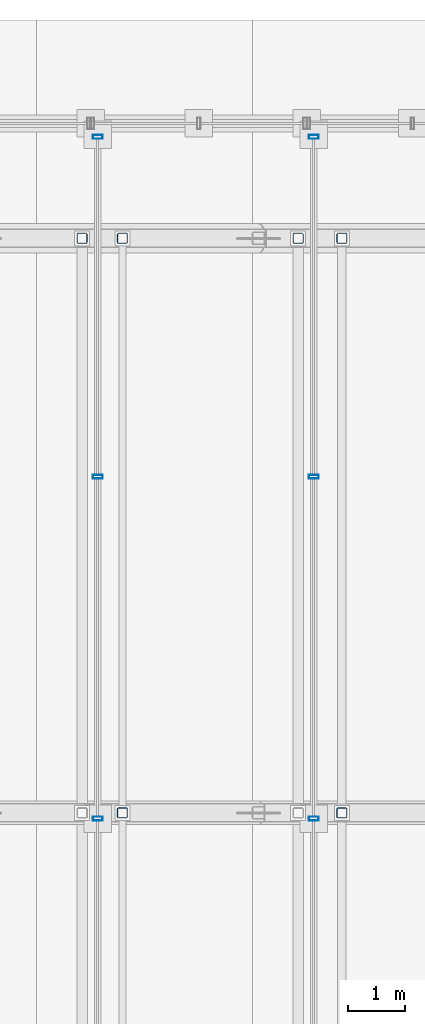
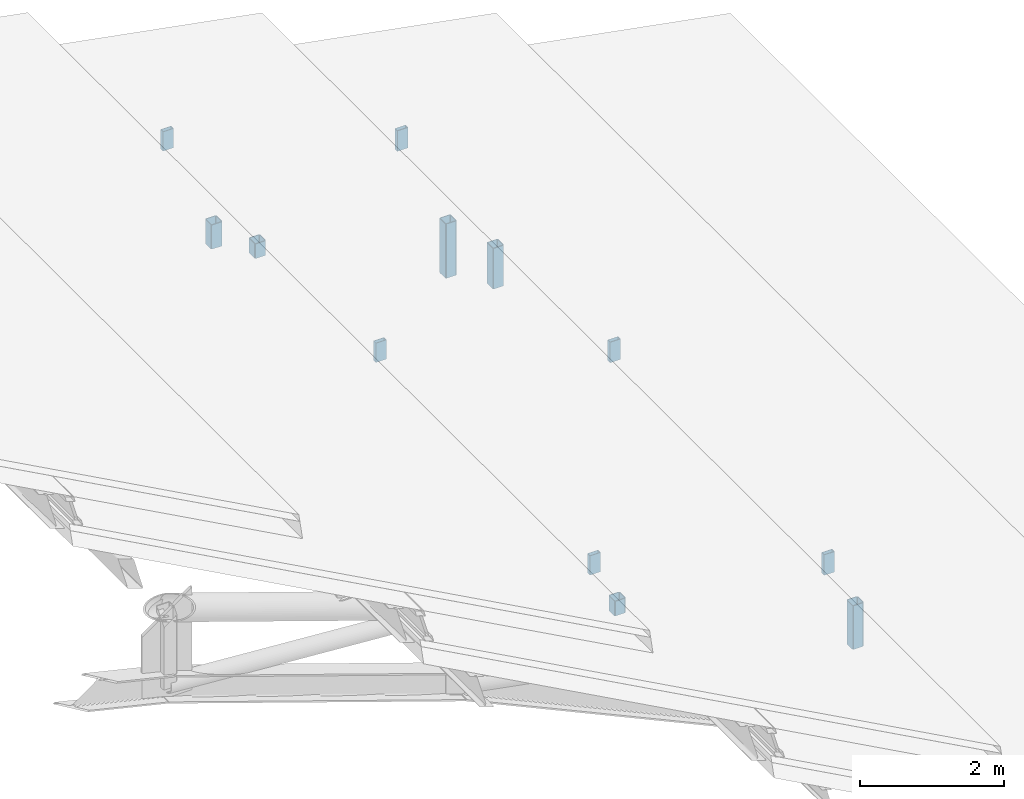
# One storey, part 76 of 117: 12 members, 2 elements without a shape of their own.
"""IFC4 building model written with IfcOpenShell, lengths in metres."""

from ifc_helpers import new_model, si_unit, direction, frame, origin, origin_2d, place, context, subcontext, project, spatial, hollow_rectangle, extrude, material, material_profile, profile_set, type_object, element, aggregate, save


model = new_model("IFC4")

# Units and contexts
model_context = context("Model", 3, precision=1e-05, world=origin(), true_north=direction((0.0, 1.0)))
body_context = subcontext(model_context, "Body", "Model", "MODEL_VIEW")
ifc_project = project(units=[si_unit("LENGTHUNIT", "METRE"), si_unit("AREAUNIT", "SQUARE_METRE"), si_unit("VOLUMEUNIT", "CUBIC_METRE"), si_unit("PLANEANGLEUNIT", "RADIAN"), si_unit("MASSUNIT", "GRAM", prefix="KILO")], contexts=[model_context])

# Site, building, storey
site_placement = place(None, origin())
site = spatial("IfcSite", under=ifc_project, at=site_placement, CompositionType="ELEMENT")
building_placement = place(site_placement, origin())
building = spatial("IfcBuilding", under=site, at=building_placement, Name="Merenkruunu Market Hall", CompositionType="ELEMENT")
storey_placement = place(building_placement, frame((0.0, 0.0, 22.800048828125)))
storey = spatial("IfcBuildingStorey", under=building, at=storey_placement, Name="RF", CompositionType="ELEMENT", Elevation=22.800048828125)

# Curtain wall, members
ifc_material_1 = material(Name="Powder-coated aluminium", Category="aluminium")
curtain_wall_type = type_object("IfcCurtainWallType", Name="Clerestory Curtain Band CL05", PredefinedType="USERDEFINED", material=ifc_material_1)
curtain_wall_1_placement = place(storey_placement, origin())
curtain_wall_1 = element("IfcCurtainWall", 1, at=curtain_wall_1_placement, inside=storey, type_object=curtain_wall_type, Name="CW-RF-CWM04-088", ObjectType="CLERESTORY_BAND", PredefinedType="USERDEFINED")
ifc_material_profile_1 = material_profile(ifc_material_1, hollow_rectangle(XDim=0.070068359375, YDim=0.169921875, WallThickness=0.0048828125, at=origin_2d()), Name="ALU 70x170x5")
ifc_profile_set_1 = profile_set([ifc_material_profile_1], Name="Powder-coated aluminium")
member_type_1 = type_object("IfcMemberType", Name="Curtain Wall Mullion CWM04", PredefinedType="MULLION", material=ifc_profile_set_1)
member_1_placement = place(storey_placement, frame((53.760009765625, 111.364990234375, -6.52197265625), z_axis=(0.0, 0.0, 1.0), x_axis=(0.0, -1.0, 0.0)))
member_1 = element("IfcMember", 2, at=member_1_placement, type_object=member_type_1, Name="CL05 mullion 1", PredefinedType="MULLION", context=body_context, shape_type="SweptSolid", body=[
    extrude(hollow_rectangle(XDim=0.070068359375, YDim=0.169921875, WallThickness=0.0048828125, at=origin_2d()), origin(), (0.0, 0.0, 1.0), 0.347900390625),
])
member_2_placement = place(storey_placement, frame((53.760009765625, 105.449951171875, -6.52197265625), z_axis=(0.0, 0.0, 1.0), x_axis=(0.0, -1.0, 0.0)))
member_2 = element("IfcMember", 3, at=member_2_placement, type_object=member_type_1, Name="CL05 mullion 2", PredefinedType="MULLION", context=body_context, shape_type="SweptSolid", body=[
    extrude(hollow_rectangle(XDim=0.070068359375, YDim=0.169921875, WallThickness=0.0048828125, at=origin_2d()), origin(), (0.0, 0.0, 1.0), 0.347900390625),
])
member_3_placement = place(storey_placement, frame((53.760009765625, 99.5, -6.52197265625), z_axis=(0.0, 0.0, 1.0), x_axis=(0.0, -1.0, 0.0)))
member_3 = element("IfcMember", 4, at=member_3_placement, type_object=member_type_1, Name="CL05 mullion 3", PredefinedType="MULLION", context=body_context, shape_type="SweptSolid", body=[
    extrude(hollow_rectangle(XDim=0.070068359375, YDim=0.169921875, WallThickness=0.0048828125, at=origin_2d()), origin(), (0.0, 0.0, 1.0), 0.347900390625),
])
aggregate(curtain_wall_1, [member_1, member_2, member_3])

curtain_wall_2_placement = place(storey_placement, origin())
curtain_wall_2 = element("IfcCurtainWall", 5, at=curtain_wall_2_placement, inside=storey, type_object=curtain_wall_type, Name="CW-RF-CWM04-096", ObjectType="CLERESTORY_BAND", PredefinedType="USERDEFINED")
member_4_placement = place(storey_placement, frame((50.0, 111.364990234375, -5.2021484375), z_axis=(0.0, 0.0, 1.0), x_axis=(0.0, -1.0, 0.0)))
member_4 = element("IfcMember", 6, at=member_4_placement, type_object=member_type_1, Name="CL05 mullion 1", PredefinedType="MULLION", context=body_context, shape_type="SweptSolid", body=[
    extrude(hollow_rectangle(XDim=0.070068359375, YDim=0.169921875, WallThickness=0.0048828125, at=origin_2d()), origin(), (0.0, 0.0, 1.0), 0.3271484375),
])
member_5_placement = place(storey_placement, frame((50.0, 105.449951171875, -5.2021484375), z_axis=(0.0, 0.0, 1.0), x_axis=(0.0, -1.0, 0.0)))
member_5 = element("IfcMember", 7, at=member_5_placement, type_object=member_type_1, Name="CL05 mullion 2", PredefinedType="MULLION", context=body_context, shape_type="SweptSolid", body=[
    extrude(hollow_rectangle(XDim=0.070068359375, YDim=0.169921875, WallThickness=0.0048828125, at=origin_2d()), origin(), (0.0, 0.0, 1.0), 0.3271484375),
])
member_6_placement = place(storey_placement, frame((50.0, 99.5, -5.2021484375), z_axis=(0.0, 0.0, 1.0), x_axis=(0.0, -1.0, 0.0)))
member_6 = element("IfcMember", 8, at=member_6_placement, type_object=member_type_1, Name="CL05 mullion 3", PredefinedType="MULLION", context=body_context, shape_type="SweptSolid", body=[
    extrude(hollow_rectangle(XDim=0.070068359375, YDim=0.169921875, WallThickness=0.0048828125, at=origin_2d()), origin(), (0.0, 0.0, 1.0), 0.3271484375),
])
aggregate(curtain_wall_2, [member_4, member_5, member_6])

# Members
ifc_material_2 = material(Name="Steel S355J2", Category="steel")
ifc_material_profile_2 = material_profile(ifc_material_2, hollow_rectangle(XDim=0.179931640625, YDim=0.179931640625, WallThickness=0.010009765625, InnerFilletRadius=0.010009765625, OuterFilletRadius=0.02001953125, at=origin_2d()), Name="SHS 180x180x10")
ifc_profile_set_2 = profile_set([ifc_material_profile_2], Name="Steel S355J2")
member_type_2 = type_object("IfcMemberType", Name="Diagonal Sway Brace BR05", PredefinedType="BRACE", material=ifc_profile_set_2)
member_7_placement = place(storey_placement, frame((54.25, 99.60009765625, -7.98095703125), z_axis=(0.0, 0.0, 1.0), x_axis=(1.0, 0.0, 0.0)))
element("IfcMember", 9, at=member_7_placement, inside=storey, type_object=member_type_2, Name="TRUSS-AT-8-RISER-E1-2", PredefinedType="BRACE", context=body_context, shape_type="SweptSolid", body=[
    extrude(hollow_rectangle(XDim=0.179931640625, YDim=0.179931640625, WallThickness=0.010009765625, InnerFilletRadius=0.010009765625, OuterFilletRadius=0.02001953125, at=origin_2d()), origin(), (0.0, 0.0, 1.0), 0.741455078125),
])
member_8_placement = place(storey_placement, frame((50.429931640625, 99.60009765625, -6.075439453125), z_axis=(0.0, 0.0, 1.0), x_axis=(1.0, 0.0, 0.0)))
element("IfcMember", 10, at=member_8_placement, inside=storey, type_object=member_type_2, Name="TRUSS-AT-8-RISER-E2-2", PredefinedType="BRACE", context=body_context, shape_type="SweptSolid", body=[
    extrude(hollow_rectangle(XDim=0.179931640625, YDim=0.179931640625, WallThickness=0.010009765625, InnerFilletRadius=0.010009765625, OuterFilletRadius=0.02001953125, at=origin_2d()), origin(), (0.0, 0.0, 1.0), 0.25),
])
member_9_placement = place(storey_placement, frame((54.25, 109.60009765625, -7.929931640625), z_axis=(0.0, 0.0, 1.0), x_axis=(1.0, 0.0, 0.0)))
element("IfcMember", 11, at=member_9_placement, inside=storey, type_object=member_type_2, Name="TRUSS-AT-G-RISER-E1-2", PredefinedType="BRACE", context=body_context, shape_type="SweptSolid", body=[
    extrude(hollow_rectangle(XDim=0.179931640625, YDim=0.179931640625, WallThickness=0.010009765625, InnerFilletRadius=0.010009765625, OuterFilletRadius=0.02001953125, at=origin_2d()), origin(), (0.0, 0.0, 1.0), 0.6904296875),
])
member_10_placement = place(storey_placement, frame((53.489990234375, 109.60009765625, -7.48095703125), z_axis=(0.0, 0.0, 1.0), x_axis=(1.0, 0.0, 0.0)))
element("IfcMember", 12, at=member_10_placement, inside=storey, type_object=member_type_2, Name="TRUSS-AT-G-RISER-E2-1", PredefinedType="BRACE", context=body_context, shape_type="SweptSolid", body=[
    extrude(hollow_rectangle(XDim=0.179931640625, YDim=0.179931640625, WallThickness=0.010009765625, InnerFilletRadius=0.010009765625, OuterFilletRadius=0.02001953125, at=origin_2d()), origin(), (0.0, 0.0, 1.0), 0.9228515625),
])
member_11_placement = place(storey_placement, frame((50.429931640625, 109.60009765625, -6.075439453125), z_axis=(0.0, 0.0, 1.0), x_axis=(1.0, 0.0, 0.0)))
element("IfcMember", 13, at=member_11_placement, inside=storey, type_object=member_type_2, Name="TRUSS-AT-G-RISER-E2-2", PredefinedType="BRACE", context=body_context, shape_type="SweptSolid", body=[
    extrude(hollow_rectangle(XDim=0.179931640625, YDim=0.179931640625, WallThickness=0.010009765625, InnerFilletRadius=0.010009765625, OuterFilletRadius=0.02001953125, at=origin_2d()), origin(), (0.0, 0.0, 1.0), 0.25),
])
member_12_placement = place(storey_placement, frame((49.72998046875, 109.60009765625, -5.670166015625), z_axis=(0.0, 0.0, 1.0), x_axis=(1.0, 0.0, 0.0)))
element("IfcMember", 14, at=member_12_placement, inside=storey, type_object=member_type_2, Name="TRUSS-AT-G-RISER-E3-1", PredefinedType="BRACE", context=body_context, shape_type="SweptSolid", body=[
    extrude(hollow_rectangle(XDim=0.179931640625, YDim=0.179931640625, WallThickness=0.010009765625, InnerFilletRadius=0.010009765625, OuterFilletRadius=0.02001953125, at=origin_2d()), origin(), (0.0, 0.0, 1.0), 0.411865234375),
])

save(model, "model.ifc")
